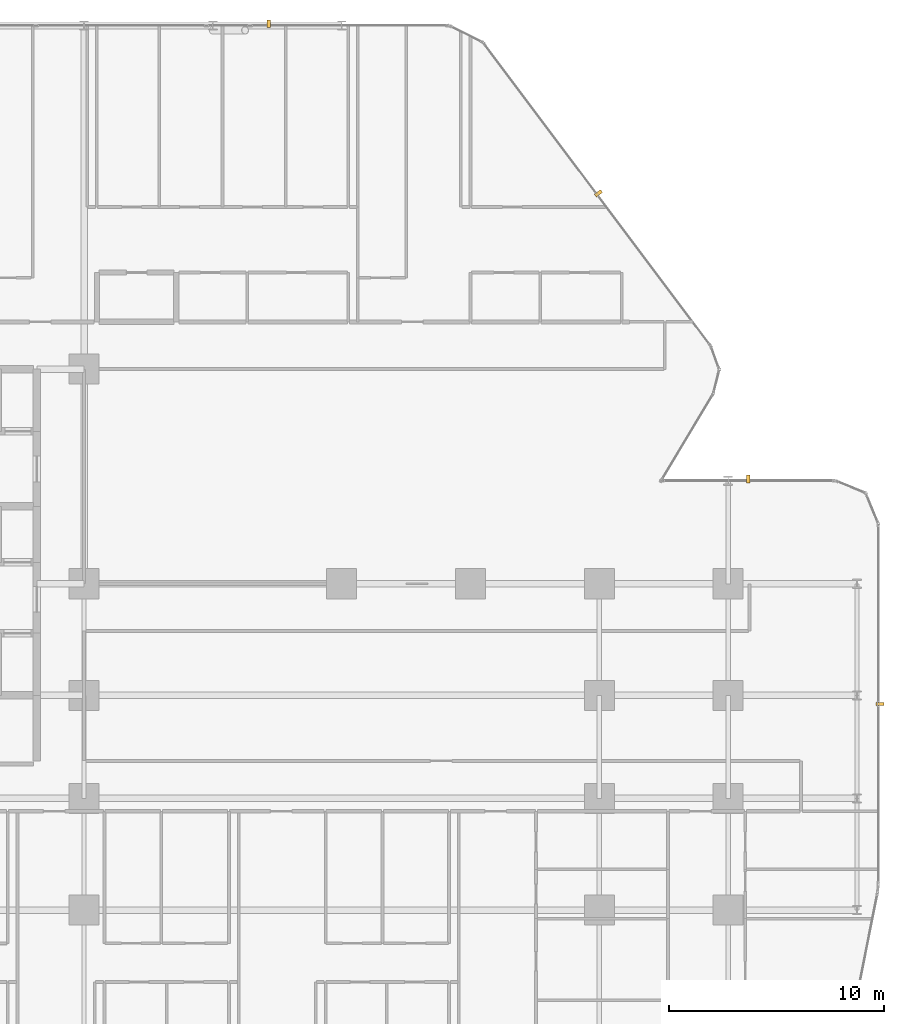
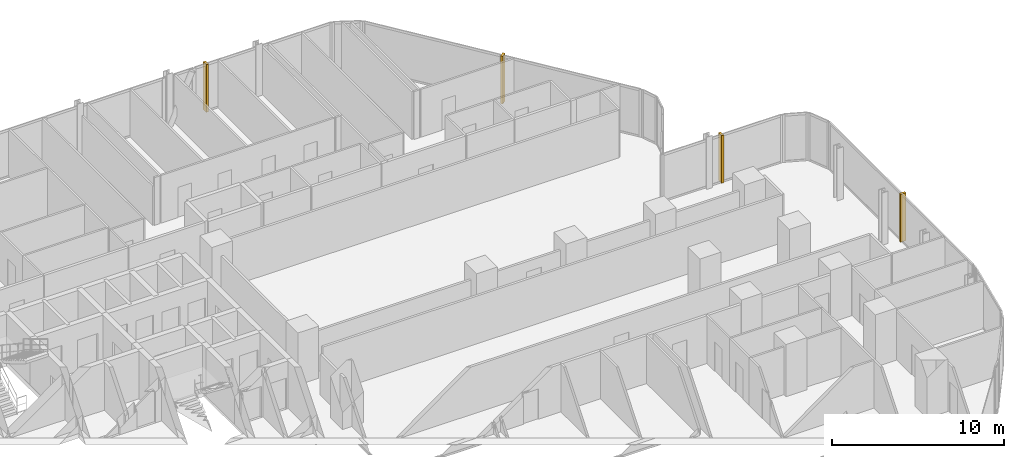
# One storey, part 35 of 35: 4 coverings.
"""IFC4 building model written with IfcOpenShell, lengths in metres."""

from ifc_helpers import new_model, si_unit, direction, frame, origin, origin_2d, place, context, subcontext, project, spatial, rectangle, extrude, material, type_object, element, save


model = new_model("IFC4")

# Units and contexts
model_context = context("Model", 3, precision=1e-05, world=origin(), true_north=direction((0.0, 1.0)))
body_context = subcontext(model_context, "Body", "Model", "MODEL_VIEW")
ifc_project = project(units=[si_unit("LENGTHUNIT", "METRE"), si_unit("AREAUNIT", "SQUARE_METRE"), si_unit("VOLUMEUNIT", "CUBIC_METRE"), si_unit("PLANEANGLEUNIT", "RADIAN"), si_unit("MASSUNIT", "GRAM", prefix="KILO")], contexts=[model_context])

# Site, building, storey
site_placement = place(None, origin())
site = spatial("IfcSite", under=ifc_project, at=site_placement, CompositionType="ELEMENT")
building_placement = place(site_placement, origin())
building = spatial("IfcBuilding", under=site, at=building_placement, Name="Keshet Zoharim Tower", CompositionType="ELEMENT")
storey_placement = place(building_placement, frame((0.0, 0.0, 24.0)))
storey = spatial("IfcBuildingStorey", under=building, at=storey_placement, Name="L04", CompositionType="ELEMENT", Elevation=24.0)

# Coverings
ifc_material = material(Name="Concrete C50/60 precast", Category="concrete")
covering_type = type_object("IfcCoveringType", Name="FIN-SOL-360", PredefinedType="CLADDING", material=ifc_material)
for number, where, z_axis, x_axis, name in (
    (1, (41.593994140625, 53.97998046875, 0.0), (0.0, 0.0, 1.0), (1.0, 0.0, 0.0), "L04 Vertical Precast Solar Fin 06"),
    (2, (56.9609375, 46.0859375, 0.0), (0.0, 0.0, 1.0), (0.600000000002, -0.799999999998, 0.0), "L04 Vertical Precast Solar Fin 07"),
    (3, (63.93994140625, 32.780029296875, 0.0), (0.0, 0.0, 1.0), (1.0, 0.0, 0.0), "L04 Vertical Precast Solar Fin 08"),
    (4, (70.080078125, 22.299072265625, 0.0), (0.0, 0.0, 1.0), (0.0, -1.0, 0.0), "L04 Vertical Precast Solar Fin 09"),
):
    element("IfcCovering", number, at=place(storey_placement, frame(where, z_axis=z_axis, x_axis=x_axis)), inside=storey, type_object=covering_type, Name=name, PredefinedType="CLADDING", context=body_context, shape_type="SweptSolid", body=[
        extrude(rectangle(XDim=0.159912109375, YDim=0.360107421875, at=origin_2d()), origin(), (0.0, 0.0, 1.0), 3.385009765625),
    ])

save(model, "model.ifc")
